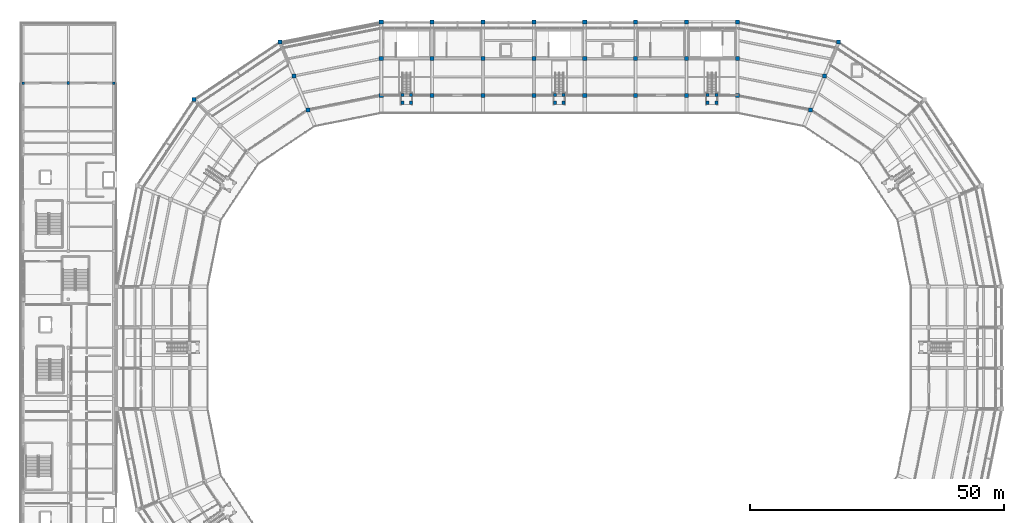
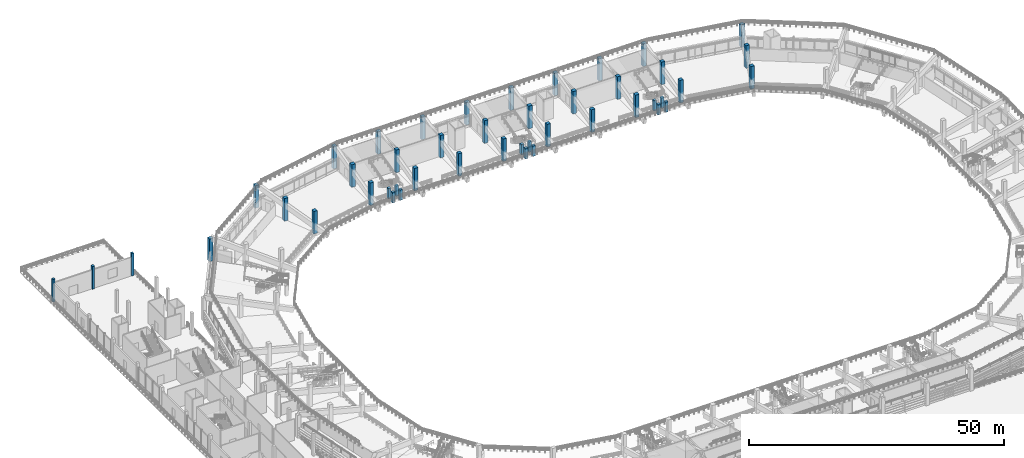
# One storey, part 3 of 96: 46 columns.
"""IFC4 building model written with IfcOpenShell, lengths in metres."""

from ifc_helpers import new_model, si_unit, direction, frame, origin, origin_2d, place, context, subcontext, project, spatial, rectangle, extrude, material, material_profile, profile_set, type_object, element, save


model = new_model("IFC4")

# Units and contexts
model_context = context("Model", 3, precision=1e-05, world=origin(), true_north=direction((0.0, 1.0)))
body_context = subcontext(model_context, "Body", "Model", "MODEL_VIEW")
ifc_project = project(units=[si_unit("LENGTHUNIT", "METRE"), si_unit("AREAUNIT", "SQUARE_METRE"), si_unit("VOLUMEUNIT", "CUBIC_METRE"), si_unit("PLANEANGLEUNIT", "RADIAN"), si_unit("MASSUNIT", "GRAM", prefix="KILO")], contexts=[model_context])

# Site, building, storey
site_placement = place(None, origin())
site = spatial("IfcSite", under=ifc_project, at=site_placement, CompositionType="ELEMENT")
building_placement = place(site_placement, origin())
building = spatial("IfcBuilding", under=site, at=building_placement, Name="Candeia Ridge Stadium", CompositionType="ELEMENT")
storey_placement = place(building_placement, frame((0.0, 0.0, 21.60009765625)))
storey = spatial("IfcBuildingStorey", under=building, at=storey_placement, Name="L04", CompositionType="ELEMENT", Elevation=21.60009765625)

# Columns
ifc_material_1 = material(Name="Concrete C45/55", Category="concrete")
ifc_material_profile_1 = material_profile(ifc_material_1, rectangle(XDim=0.800048828125, YDim=0.800048828125, at=origin_2d()), Name="RC800x800", Category="concrete")
ifc_profile_set_1 = profile_set([ifc_material_profile_1], Name="Concrete C45/55")
column_type_1 = type_object("IfcColumnType", Name="Bowl Column RC800x800", PredefinedType="COLUMN", material=ifc_profile_set_1)
for number, where, z_axis, x_axis, name in (
    (1, (141.0, 132.60009765625, 0.0), (0.0, 0.0, 1.0), (1.0, 0.0, 0.0), "Structural column BC-MD-00 L04"),
    (2, (141.0, 139.800048828125, 0.0), (0.0, 0.0, 1.0), (1.0, 0.0, 0.0), "Structural column BC-M2-00 L04"),
    (3, (141.0, 147.0, 0.0), (0.0, 0.0, 1.0), (1.0, 0.0, 0.0), "Structural column BC-OU-00 L04"),
    (4, (131.0, 132.60009765625, 0.0), (0.0, 0.0, 1.0), (1.0, 0.0, 0.0), "Structural column BC-MD-01 L04"),
    (5, (131.0, 139.800048828125, 0.0), (0.0, 0.0, 1.0), (1.0, 0.0, 0.0), "Structural column BC-M2-01 L04"),
    (6, (131.0, 147.0, 0.0), (0.0, 0.0, 1.0), (1.0, 0.0, 0.0), "Structural column BC-OU-01 L04"),
    (7, (121.0, 132.60009765625, 0.0), (0.0, 0.0, 1.0), (1.0, 0.0, 0.0), "Structural column BC-MD-02 L04"),
    (8, (121.0, 139.800048828125, 0.0), (0.0, 0.0, 1.0), (1.0, 0.0, 0.0), "Structural column BC-M2-02 L04"),
    (9, (121.0, 147.0, 0.0), (0.0, 0.0, 1.0), (1.0, 0.0, 0.0), "Structural column BC-OU-02 L04"),
    (10, (111.0, 132.60009765625, 0.0), (0.0, 0.0, 1.0), (1.0, 0.0, 0.0), "Structural column BC-MD-03 L04"),
    (11, (111.0, 139.800048828125, 0.0), (0.0, 0.0, 1.0), (1.0, 0.0, 0.0), "Structural column BC-M2-03 L04"),
    (12, (111.0, 147.0, 0.0), (0.0, 0.0, 1.0), (1.0, 0.0, 0.0), "Structural column BC-OU-03 L04"),
    (13, (101.0, 132.60009765625, 0.0), (0.0, 0.0, 1.0), (1.0, 0.0, 0.0), "Structural column BC-MD-04 L04"),
    (14, (101.0, 139.800048828125, 0.0), (0.0, 0.0, 1.0), (1.0, 0.0, 0.0), "Structural column BC-M2-04 L04"),
    (15, (101.0, 147.0, 0.0), (0.0, 0.0, 1.0), (1.0, 0.0, 0.0), "Structural column BC-OU-04 L04"),
    (16, (91.0, 132.60009765625, 0.0), (0.0, 0.0, 1.0), (1.0, 0.0, 0.0), "Structural column BC-MD-05 L04"),
    (17, (91.0, 139.800048828125, 0.0), (0.0, 0.0, 1.0), (1.0, 0.0, 0.0), "Structural column BC-M2-05 L04"),
    (18, (91.0, 147.0, 0.0), (0.0, 0.0, 1.0), (1.0, 0.0, 0.0), "Structural column BC-OU-05 L04"),
    (19, (81.0, 132.60009765625, 0.0), (0.0, 0.0, 1.0), (1.0, 0.0, 0.0), "Structural column BC-MD-06 L04"),
    (20, (81.0, 139.800048828125, 0.0), (0.0, 0.0, 1.0), (1.0, 0.0, 0.0), "Structural column BC-M2-06 L04"),
    (21, (81.0, 147.0, 0.0), (0.0, 0.0, 1.0), (1.0, 0.0, 0.0), "Structural column BC-OU-06 L04"),
    (22, (71.0, 132.60009765625, 0.0), (0.0, 0.0, 1.0), (1.0, 0.0, 0.0), "Structural column BC-MD-07 L04"),
    (23, (71.0, 139.800048828125, 0.0), (0.0, 0.0, 1.0), (1.0, 0.0, 0.0), "Structural column BC-M2-07 L04"),
    (24, (71.0, 147.0, 0.0), (0.0, 0.0, 1.0), (1.0, 0.0, 0.0), "Structural column BC-OU-07 L04"),
    (25, (56.611083984375, 129.73779296875, 0.0), (0.0, 0.0, 1.0), (1.0, 0.0, 0.0), "Structural column BC-MD-08 L04"),
    (26, (53.855712890625, 136.389892578125, 0.0), (0.0, 0.0, 1.0), (1.0, 0.0, 0.0), "Structural column BC-M2-08 L04"),
    (27, (51.100341796875, 143.041748046875, 0.0), (0.0, 0.0, 1.0), (1.0, 0.0, 0.0), "Structural column BC-OU-08 L04"),
    (28, (34.23046875, 131.76953125, 0.0), (0.0, 0.0, 1.0), (1.0, 0.0, 0.0), "Structural column BC-OU-09 L04"),
    (29, (155.388916015625, 129.73779296875, 0.0), (0.0, 0.0, 1.0), (1.0, 0.0, 0.0), "Structural column BC-MD-35 L04"),
    (30, (158.144287109375, 136.389892578125, 0.0), (0.0, 0.0, 1.0), (1.0, 0.0, 0.0), "Structural column BC-M2-35 L04"),
    (31, (160.899658203125, 143.041748046875, 0.0), (0.0, 0.0, 1.0), (1.0, 0.0, 0.0), "Structural column BC-OU-35 L04"),
):
    element("IfcColumn", number, at=place(storey_placement, frame(where, z_axis=z_axis, x_axis=x_axis)), inside=storey, type_object=column_type_1, Name=name, PredefinedType="COLUMN", context=body_context, shape_type="SweptSolid", body=[
        extrude(rectangle(XDim=0.800048828125, YDim=0.800048828125, at=origin_2d()), origin(), (0.0, 0.0, 1.0), 5.39990234375),
    ])
ifc_material_2 = material(Name="Concrete C40/50", Category="concrete")
ifc_material_profile_2 = material_profile(ifc_material_2, rectangle(XDim=0.5, YDim=0.5, at=origin_2d()), Name="RC500x500", Category="concrete")
ifc_profile_set_2 = profile_set([ifc_material_profile_2], Name="Concrete C40/50")
column_type_2 = type_object("IfcColumnType", Name="Reinforced Concrete Column RC500x500", PredefinedType="COLUMN", material=ifc_profile_set_2)
for number, where, z_axis, x_axis, name in (
    (32, (0.60009765625, 135.0, 0.0), (0.0, 0.0, 1.0), (1.0, 0.0, 0.0), "Structural column WP-00-13 L04"),
    (33, (18.39990234375, 135.0, 0.0), (0.0, 0.0, 1.0), (1.0, 0.0, 0.0), "Structural column WP-02-13 L04"),
):
    element("IfcColumn", number, at=place(storey_placement, frame(where, z_axis=z_axis, x_axis=x_axis)), inside=storey, type_object=column_type_2, Name=name, PredefinedType="COLUMN", context=body_context, shape_type="SweptSolid", body=[
        extrude(rectangle(XDim=0.5, YDim=0.5, at=origin_2d()), origin(), (0.0, 0.0, 1.0), 5.39990234375),
    ])
ifc_material_profile_3 = material_profile(ifc_material_2, rectangle(XDim=0.5, YDim=0.64990234375, at=origin_2d()), Name="RC500x650", Category="concrete")
ifc_profile_set_3 = profile_set([ifc_material_profile_3], Name="Concrete C40/50")
column_type_3 = type_object("IfcColumnType", Name="Reinforced Concrete Column RC500x650", PredefinedType="COLUMN", material=ifc_profile_set_3)
column_placement = place(storey_placement, frame((9.5, 135.0, 0.0), z_axis=(0.0, 0.0, 1.0), x_axis=(1.0, 0.0, 0.0)))
element("IfcColumn", 34, at=column_placement, inside=storey, type_object=column_type_3, Name="Structural column WP-01-13 L04", PredefinedType="COLUMN", context=body_context, shape_type="SweptSolid", body=[
    extrude(rectangle(XDim=0.5, YDim=0.64990234375, at=origin_2d()), origin(), (0.0, 0.0, 1.0), 5.39990234375),
])
ifc_material_profile_4 = material_profile(ifc_material_2, rectangle(XDim=0.60009765625, YDim=0.60009765625, at=origin_2d()), Name="RC600x600", Category="concrete")
ifc_profile_set_4 = profile_set([ifc_material_profile_4], Name="Concrete C40/50")
column_type_4 = type_object("IfcColumnType", Name="Wing Column RC600x600", PredefinedType="COLUMN", material=ifc_profile_set_4)
for number, where, z_axis, x_axis, name in (
    (35, (135.14990234375, 132.681884765625, 0.0), (0.0, 0.0, 1.0), (1.0, 0.0, 0.0), "Vomitory VS25 landing support column 1 L04"),
    (36, (135.14990234375, 131.132080078125, 0.0), (0.0, 0.0, 1.0), (1.0, 0.0, 0.0), "Vomitory VS25 landing support column 2 L04"),
    (37, (136.85009765625, 131.132080078125, 0.0), (0.0, 0.0, 1.0), (1.0, 0.0, 0.0), "Vomitory VS25 landing support column 3 L04"),
    (38, (136.85009765625, 132.681884765625, 0.0), (0.0, 0.0, 1.0), (1.0, 0.0, 0.0), "Vomitory VS25 landing support column 4 L04"),
    (39, (105.14990234375, 132.681884765625, 0.0), (0.0, 0.0, 1.0), (1.0, 0.0, 0.0), "Vomitory VS26 landing support column 1 L04"),
    (40, (105.14990234375, 131.132080078125, 0.0), (0.0, 0.0, 1.0), (1.0, 0.0, 0.0), "Vomitory VS26 landing support column 2 L04"),
    (41, (106.85009765625, 131.132080078125, 0.0), (0.0, 0.0, 1.0), (1.0, 0.0, 0.0), "Vomitory VS26 landing support column 3 L04"),
    (42, (106.85009765625, 132.681884765625, 0.0), (0.0, 0.0, 1.0), (1.0, 0.0, 0.0), "Vomitory VS26 landing support column 4 L04"),
    (43, (75.14990234375, 132.681884765625, 0.0), (0.0, 0.0, 1.0), (1.0, 0.0, 0.0), "Vomitory VS27 landing support column 1 L04"),
    (44, (75.14990234375, 131.132080078125, 0.0), (0.0, 0.0, 1.0), (1.0, 0.0, 0.0), "Vomitory VS27 landing support column 2 L04"),
    (45, (76.85009765625, 131.132080078125, 0.0), (0.0, 0.0, 1.0), (1.0, 0.0, 0.0), "Vomitory VS27 landing support column 3 L04"),
    (46, (76.85009765625, 132.681884765625, 0.0), (0.0, 0.0, 1.0), (1.0, 0.0, 0.0), "Vomitory VS27 landing support column 4 L04"),
):
    element("IfcColumn", number, at=place(storey_placement, frame(where, z_axis=z_axis, x_axis=x_axis)), inside=storey, type_object=column_type_4, Name=name, PredefinedType="COLUMN", context=body_context, shape_type="SweptSolid", body=[
        extrude(rectangle(XDim=0.60009765625, YDim=0.60009765625, at=origin_2d()), origin(), (0.0, 0.0, 1.0), 2.493896484375),
    ])

save(model, "model.ifc")
